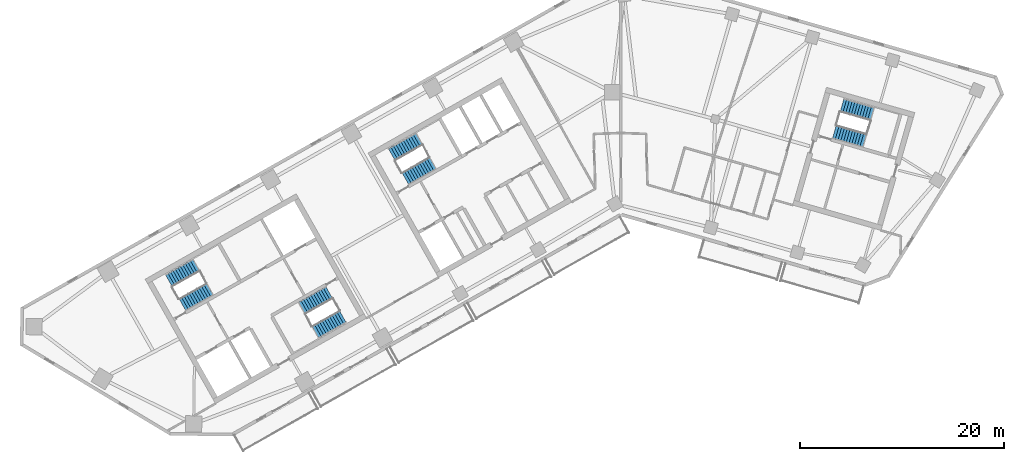
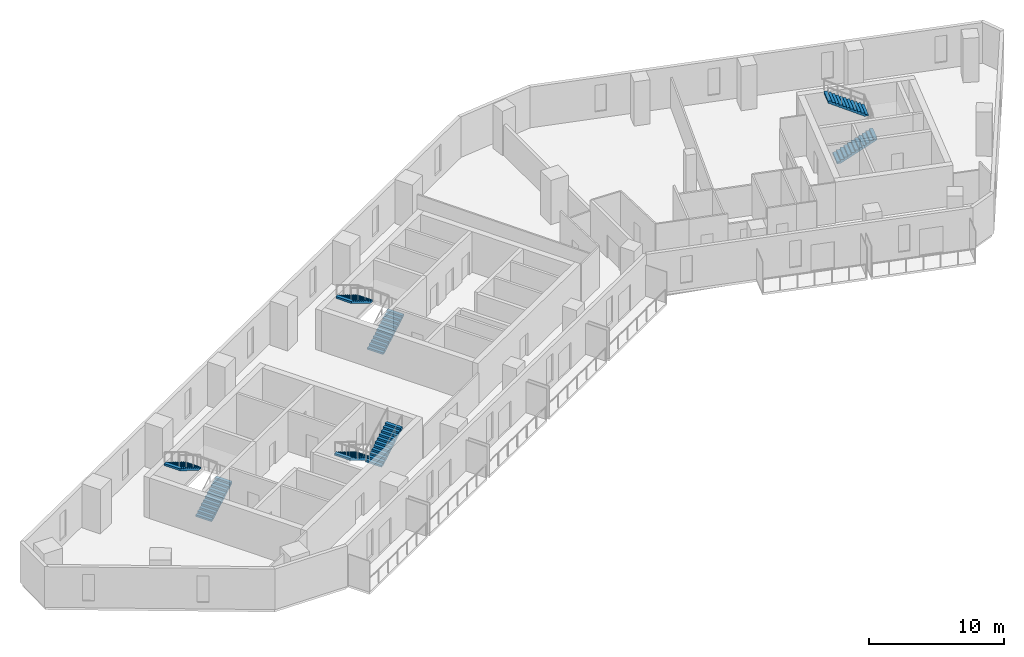
# One storey, part 7 of 9: 8 stair flights, 4 elements without a shape of their own.
"""IFC4 building model written with IfcOpenShell, lengths in metres."""

from ifc_helpers import new_model, si_unit, direction, frame, origin, place, context, subcontext, project, spatial, polyline, outline, extrude, material, type_object, element, aggregate, save


model = new_model("IFC4")

# Units and contexts
model_context = context("Model", 3, precision=1e-05, world=origin(), true_north=direction((0.0, 1.0)))
body_context = subcontext(model_context, "Body", "Model", "MODEL_VIEW")
ifc_project = project(units=[si_unit("LENGTHUNIT", "METRE"), si_unit("AREAUNIT", "SQUARE_METRE"), si_unit("VOLUMEUNIT", "CUBIC_METRE"), si_unit("PLANEANGLEUNIT", "RADIAN"), si_unit("MASSUNIT", "GRAM", prefix="KILO")], contexts=[model_context])

# Site, building, storey
site_placement = place(None, origin())
site = spatial("IfcSite", under=ifc_project, at=site_placement, CompositionType="ELEMENT")
building_placement = place(site_placement, origin())
building = spatial("IfcBuilding", under=site, at=building_placement, Name="Binnacle Exchange Tower", CompositionType="ELEMENT")
storey_placement = place(building_placement, frame((0.0, 0.0, 190.89990234375)))
storey = spatial("IfcBuildingStorey", under=building, at=storey_placement, Name="L41", CompositionType="ELEMENT", Elevation=190.89990234375)

# Stair, stair flights
ifc_material = material(Name="Concrete C35/45", Category="concrete")
stair_type = type_object("IfcStairType", Name="STAIR 24 RISERS 167", PredefinedType="HALF_TURN_STAIR", material=ifc_material)
stair_1_placement = place(storey_placement, origin())
stair_1 = element("IfcStair", 1, at=stair_1_placement, inside=storey, type_object=stair_type, Name="L41 Escape stair A1", PredefinedType="HALF_TURN_STAIR")
stair_flight_type = type_object("IfcStairFlightType", Name="STAIR FLIGHT 167X280", PredefinedType="STRAIGHT", material=ifc_material)
stair_flight_1_placement = place(storey_placement, frame((-42.9541015625, 39.17333984375, 0.0), z_axis=(0.0, 0.0, 1.0), x_axis=(0.870355584213, 0.492423757581, 0.0)))
stair_flight_1 = element("IfcStairFlight", 2, at=stair_flight_1_placement, type_object=stair_flight_type, Name="STA1 flight 1", NumberOfRisers=12, NumberOfTreads=11, PredefinedType="STRAIGHT", RiserHeight=0.166666667, TreadLength=0.28, context=body_context, shape_type="SweptSolid", body=[
    extrude(outline(polyline([(0.0, 0.0), (0.0, 0.166748046875), (0.280029296875, 0.166748046875), (0.280029296875, 0.333251953125), (0.56005859375, 0.333251953125), (0.56005859375, 0.5), (0.840087890625, 0.5), (0.840087890625, 0.666748046875), (1.1201171875, 0.666748046875), (1.1201171875, 0.833251953125), (1.39990234375, 0.833251953125), (1.39990234375, 1.0), (1.679931640625, 1.0), (1.679931640625, 1.166748046875), (1.9599609375, 1.166748046875), (1.9599609375, 1.333251953125), (2.239990234375, 1.333251953125), (2.239990234375, 1.5), (2.52001953125, 1.5), (2.52001953125, 1.666748046875), (2.800048828125, 1.666748046875), (2.800048828125, 1.833251953125), (3.080078125, 1.833251953125), (3.080078125, 2.0), (3.080078125, 1.658935546875), (0.29296875, 0.0), (0.0, 0.0)])), frame((0.0, 0.675048828125, 0.0), z_axis=(0.0, -1.0, 0.0), x_axis=(1.0, 0.0, 0.0)), (0.0, 0.0, 1.0), 1.35009765625),
])
stair_flight_2_placement = place(storey_placement, frame((-41.602783203125, 43.0400390625, 2.0), z_axis=(0.0, 0.0, 1.0), x_axis=(-0.870355584213, -0.492423757581, 0.0)))
stair_flight_2 = element("IfcStairFlight", 3, at=stair_flight_2_placement, type_object=stair_flight_type, Name="STA1 flight 2", NumberOfRisers=12, NumberOfTreads=11, PredefinedType="STRAIGHT", RiserHeight=0.166666667, TreadLength=0.28, context=body_context, shape_type="SweptSolid", body=[
    extrude(outline(polyline([(0.0, 0.0), (0.0, 0.166748046875), (0.280029296875, 0.166748046875), (0.280029296875, 0.333251953125), (0.56005859375, 0.333251953125), (0.56005859375, 0.5), (0.840087890625, 0.5), (0.840087890625, 0.666748046875), (1.1201171875, 0.666748046875), (1.1201171875, 0.833251953125), (1.39990234375, 0.833251953125), (1.39990234375, 1.0), (1.679931640625, 1.0), (1.679931640625, 1.166748046875), (1.9599609375, 1.166748046875), (1.9599609375, 1.333251953125), (2.239990234375, 1.333251953125), (2.239990234375, 1.5), (2.52001953125, 1.5), (2.52001953125, 1.666748046875), (2.800048828125, 1.666748046875), (2.800048828125, 1.833251953125), (3.080078125, 1.833251953125), (3.080078125, 2.0), (3.080078125, 1.658935546875), (0.29296875, 0.0), (0.0, 0.0)])), frame((0.0, 0.675048828125, 0.0), z_axis=(0.0, -1.0, 0.0), x_axis=(1.0, 0.0, 0.0)), (0.0, 0.0, 1.0), 1.35009765625),
])
aggregate(stair_1, [stair_flight_1, stair_flight_2])

stair_2_placement = place(storey_placement, origin())
stair_2 = element("IfcStair", 4, at=stair_2_placement, inside=storey, type_object=stair_type, Name="L41 Escape stair A2", PredefinedType="HALF_TURN_STAIR")
stair_flight_3_placement = place(storey_placement, frame((-28.5732421875, 40.3583984375, 0.0), z_axis=(0.0, 0.0, 1.0), x_axis=(-0.870355584213, -0.492423757581, 0.0)))
stair_flight_3 = element("IfcStairFlight", 5, at=stair_flight_3_placement, type_object=stair_flight_type, Name="STA2 flight 1", NumberOfRisers=12, NumberOfTreads=11, PredefinedType="STRAIGHT", RiserHeight=0.166666667, TreadLength=0.28, context=body_context, shape_type="SweptSolid", body=[
    extrude(outline(polyline([(0.0, 0.0), (0.0, 0.166748046875), (0.280029296875, 0.166748046875), (0.280029296875, 0.333251953125), (0.56005859375, 0.333251953125), (0.56005859375, 0.5), (0.840087890625, 0.5), (0.840087890625, 0.666748046875), (1.1201171875, 0.666748046875), (1.1201171875, 0.833251953125), (1.39990234375, 0.833251953125), (1.39990234375, 1.0), (1.679931640625, 1.0), (1.679931640625, 1.166748046875), (1.9599609375, 1.166748046875), (1.9599609375, 1.333251953125), (2.239990234375, 1.333251953125), (2.239990234375, 1.5), (2.52001953125, 1.5), (2.52001953125, 1.666748046875), (2.800048828125, 1.666748046875), (2.800048828125, 1.833251953125), (3.080078125, 1.833251953125), (3.080078125, 2.0), (3.080078125, 1.658935546875), (0.29296875, 0.0), (0.0, 0.0)])), frame((0.0, 0.675048828125, 0.0), z_axis=(0.0, -1.0, 0.0), x_axis=(1.0, 0.0, 0.0)), (0.0, 0.0, 1.0), 1.35009765625),
])
stair_flight_4_placement = place(storey_placement, frame((-29.92431640625, 36.49169921875, 2.0), z_axis=(0.0, 0.0, 1.0), x_axis=(0.870355584213, 0.492423757581, 0.0)))
stair_flight_4 = element("IfcStairFlight", 6, at=stair_flight_4_placement, type_object=stair_flight_type, Name="STA2 flight 2", NumberOfRisers=12, NumberOfTreads=11, PredefinedType="STRAIGHT", RiserHeight=0.166666667, TreadLength=0.28, context=body_context, shape_type="SweptSolid", body=[
    extrude(outline(polyline([(0.0, 0.0), (0.0, 0.166748046875), (0.280029296875, 0.166748046875), (0.280029296875, 0.333251953125), (0.56005859375, 0.333251953125), (0.56005859375, 0.5), (0.840087890625, 0.5), (0.840087890625, 0.666748046875), (1.1201171875, 0.666748046875), (1.1201171875, 0.833251953125), (1.39990234375, 0.833251953125), (1.39990234375, 1.0), (1.679931640625, 1.0), (1.679931640625, 1.166748046875), (1.9599609375, 1.166748046875), (1.9599609375, 1.333251953125), (2.239990234375, 1.333251953125), (2.239990234375, 1.5), (2.52001953125, 1.5), (2.52001953125, 1.666748046875), (2.800048828125, 1.666748046875), (2.800048828125, 1.833251953125), (3.080078125, 1.833251953125), (3.080078125, 2.0), (3.080078125, 1.658935546875), (0.29296875, 0.0), (0.0, 0.0)])), frame((0.0, 0.675048828125, 0.0), z_axis=(0.0, -1.0, 0.0), x_axis=(1.0, 0.0, 0.0)), (0.0, 0.0, 1.0), 1.35009765625),
])
aggregate(stair_2, [stair_flight_3, stair_flight_4])

stair_3_placement = place(storey_placement, origin())
stair_3 = element("IfcStair", 7, at=stair_3_placement, inside=storey, type_object=stair_type, Name="L41 Escape stair C1", PredefinedType="HALF_TURN_STAIR")
stair_flight_5_placement = place(storey_placement, frame((-21.115966796875, 51.528564453125, 0.0), z_axis=(0.0, 0.0, 1.0), x_axis=(0.870355584213, 0.492423757581, 0.0)))
stair_flight_5 = element("IfcStairFlight", 8, at=stair_flight_5_placement, type_object=stair_flight_type, Name="STC1 flight 1", NumberOfRisers=12, NumberOfTreads=11, PredefinedType="STRAIGHT", RiserHeight=0.166666667, TreadLength=0.28, context=body_context, shape_type="SweptSolid", body=[
    extrude(outline(polyline([(0.0, 0.0), (0.0, 0.166748046875), (0.280029296875, 0.166748046875), (0.280029296875, 0.333251953125), (0.56005859375, 0.333251953125), (0.56005859375, 0.5), (0.840087890625, 0.5), (0.840087890625, 0.666748046875), (1.1201171875, 0.666748046875), (1.1201171875, 0.833251953125), (1.39990234375, 0.833251953125), (1.39990234375, 1.0), (1.679931640625, 1.0), (1.679931640625, 1.166748046875), (1.9599609375, 1.166748046875), (1.9599609375, 1.333251953125), (2.239990234375, 1.333251953125), (2.239990234375, 1.5), (2.52001953125, 1.5), (2.52001953125, 1.666748046875), (2.800048828125, 1.666748046875), (2.800048828125, 1.833251953125), (3.080078125, 1.833251953125), (3.080078125, 2.0), (3.080078125, 1.658935546875), (0.29296875, 0.0), (0.0, 0.0)])), frame((0.0, 0.675048828125, 0.0), z_axis=(0.0, -1.0, 0.0), x_axis=(1.0, 0.0, 0.0)), (0.0, 0.0, 1.0), 1.35009765625),
])
stair_flight_6_placement = place(storey_placement, frame((-19.764892578125, 55.395263671875, 2.0), z_axis=(0.0, 0.0, 1.0), x_axis=(-0.870355584213, -0.492423757581, 0.0)))
stair_flight_6 = element("IfcStairFlight", 9, at=stair_flight_6_placement, type_object=stair_flight_type, Name="STC1 flight 2", NumberOfRisers=12, NumberOfTreads=11, PredefinedType="STRAIGHT", RiserHeight=0.166666667, TreadLength=0.28, context=body_context, shape_type="SweptSolid", body=[
    extrude(outline(polyline([(0.0, 0.0), (0.0, 0.166748046875), (0.280029296875, 0.166748046875), (0.280029296875, 0.333251953125), (0.56005859375, 0.333251953125), (0.56005859375, 0.5), (0.840087890625, 0.5), (0.840087890625, 0.666748046875), (1.1201171875, 0.666748046875), (1.1201171875, 0.833251953125), (1.39990234375, 0.833251953125), (1.39990234375, 1.0), (1.679931640625, 1.0), (1.679931640625, 1.166748046875), (1.9599609375, 1.166748046875), (1.9599609375, 1.333251953125), (2.239990234375, 1.333251953125), (2.239990234375, 1.5), (2.52001953125, 1.5), (2.52001953125, 1.666748046875), (2.800048828125, 1.666748046875), (2.800048828125, 1.833251953125), (3.080078125, 1.833251953125), (3.080078125, 2.0), (3.080078125, 1.658935546875), (0.29296875, 0.0), (0.0, 0.0)])), frame((0.0, 0.675048828125, 0.0), z_axis=(0.0, -1.0, 0.0), x_axis=(1.0, 0.0, 0.0)), (0.0, 0.0, 1.0), 1.35009765625),
])
aggregate(stair_3, [stair_flight_5, stair_flight_6])

stair_4_placement = place(storey_placement, origin())
stair_4 = element("IfcStair", 10, at=stair_4_placement, inside=storey, type_object=stair_type, Name="L41 Escape stair D1", PredefinedType="HALF_TURN_STAIR")
stair_flight_7_placement = place(storey_placement, frame((20.914306640625, 56.109619140625, 0.0), z_axis=(0.0, 0.0, 1.0), x_axis=(0.961261811397, -0.275636953165, 0.0)))
stair_flight_7 = element("IfcStairFlight", 11, at=stair_flight_7_placement, type_object=stair_flight_type, Name="STD1 flight 1", NumberOfRisers=12, NumberOfTreads=11, PredefinedType="STRAIGHT", RiserHeight=0.166666667, TreadLength=0.28, context=body_context, shape_type="SweptSolid", body=[
    extrude(outline(polyline([(0.0, 0.0), (0.0, 0.166748046875), (0.280029296875, 0.166748046875), (0.280029296875, 0.333251953125), (0.56005859375, 0.333251953125), (0.56005859375, 0.5), (0.840087890625, 0.5), (0.840087890625, 0.666748046875), (1.1201171875, 0.666748046875), (1.1201171875, 0.833251953125), (1.39990234375, 0.833251953125), (1.39990234375, 1.0), (1.679931640625, 1.0), (1.679931640625, 1.166748046875), (1.9599609375, 1.166748046875), (1.9599609375, 1.333251953125), (2.239990234375, 1.333251953125), (2.239990234375, 1.5), (2.52001953125, 1.5), (2.52001953125, 1.666748046875), (2.800048828125, 1.666748046875), (2.800048828125, 1.833251953125), (3.080078125, 1.833251953125), (3.080078125, 2.0), (3.080078125, 1.658935546875), (0.29296875, 0.0), (0.0, 0.0)])), frame((0.0, 0.675048828125, 0.0), z_axis=(0.0, -1.0, 0.0), x_axis=(1.0, 0.0, 0.0)), (0.0, 0.0, 1.0), 1.35009765625),
])
stair_flight_8_placement = place(storey_placement, frame((24.619384765625, 57.85595703125, 2.0), z_axis=(0.0, 0.0, 1.0), x_axis=(-0.961261811397, 0.275636953165, 0.0)))
stair_flight_8 = element("IfcStairFlight", 12, at=stair_flight_8_placement, type_object=stair_flight_type, Name="STD1 flight 2", NumberOfRisers=12, NumberOfTreads=11, PredefinedType="STRAIGHT", RiserHeight=0.166666667, TreadLength=0.28, context=body_context, shape_type="SweptSolid", body=[
    extrude(outline(polyline([(0.0, 0.0), (0.0, 0.166748046875), (0.280029296875, 0.166748046875), (0.280029296875, 0.333251953125), (0.56005859375, 0.333251953125), (0.56005859375, 0.5), (0.840087890625, 0.5), (0.840087890625, 0.666748046875), (1.1201171875, 0.666748046875), (1.1201171875, 0.833251953125), (1.39990234375, 0.833251953125), (1.39990234375, 1.0), (1.679931640625, 1.0), (1.679931640625, 1.166748046875), (1.9599609375, 1.166748046875), (1.9599609375, 1.333251953125), (2.239990234375, 1.333251953125), (2.239990234375, 1.5), (2.52001953125, 1.5), (2.52001953125, 1.666748046875), (2.800048828125, 1.666748046875), (2.800048828125, 1.833251953125), (3.080078125, 1.833251953125), (3.080078125, 2.0), (3.080078125, 1.658935546875), (0.29296875, 0.0), (0.0, 0.0)])), frame((0.0, 0.675048828125, 0.0), z_axis=(0.0, -1.0, 0.0), x_axis=(1.0, 0.0, 0.0)), (0.0, 0.0, 1.0), 1.35009765625),
])
aggregate(stair_4, [stair_flight_7, stair_flight_8])

save(model, "model.ifc")
